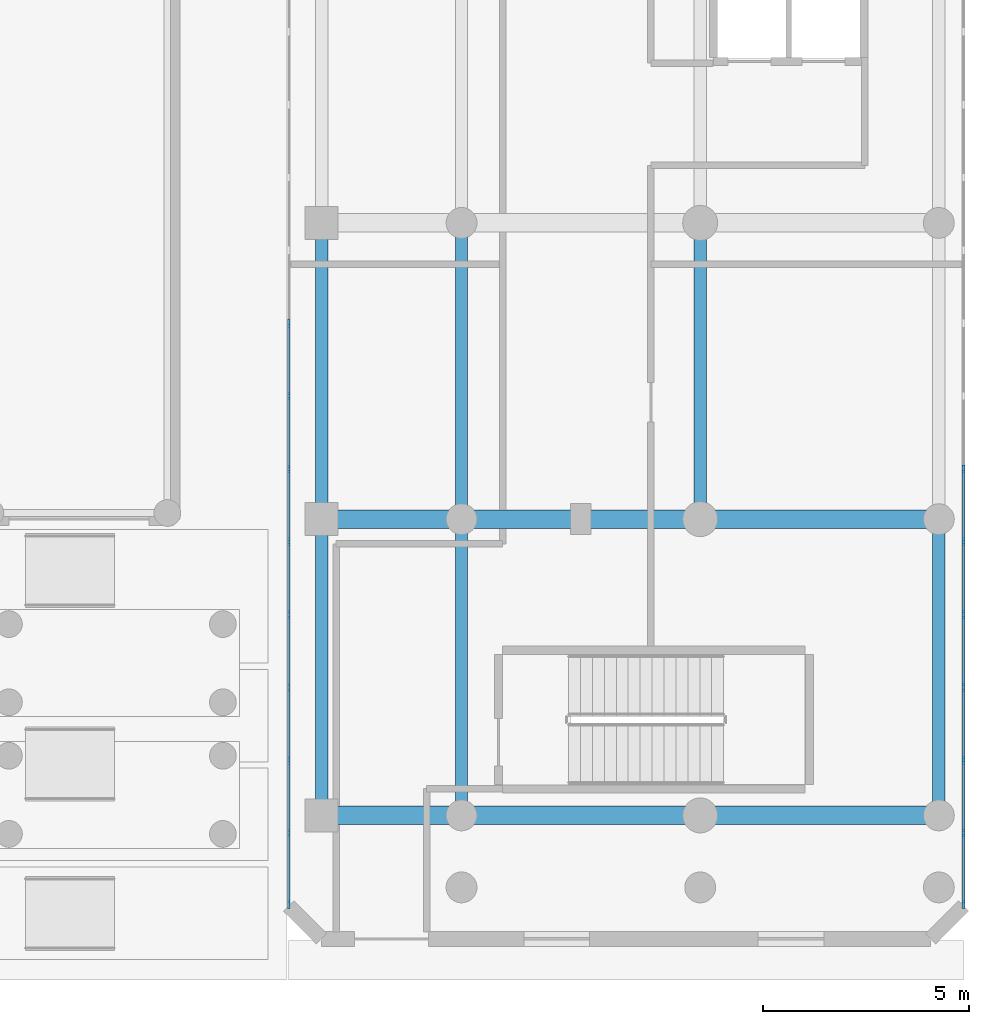
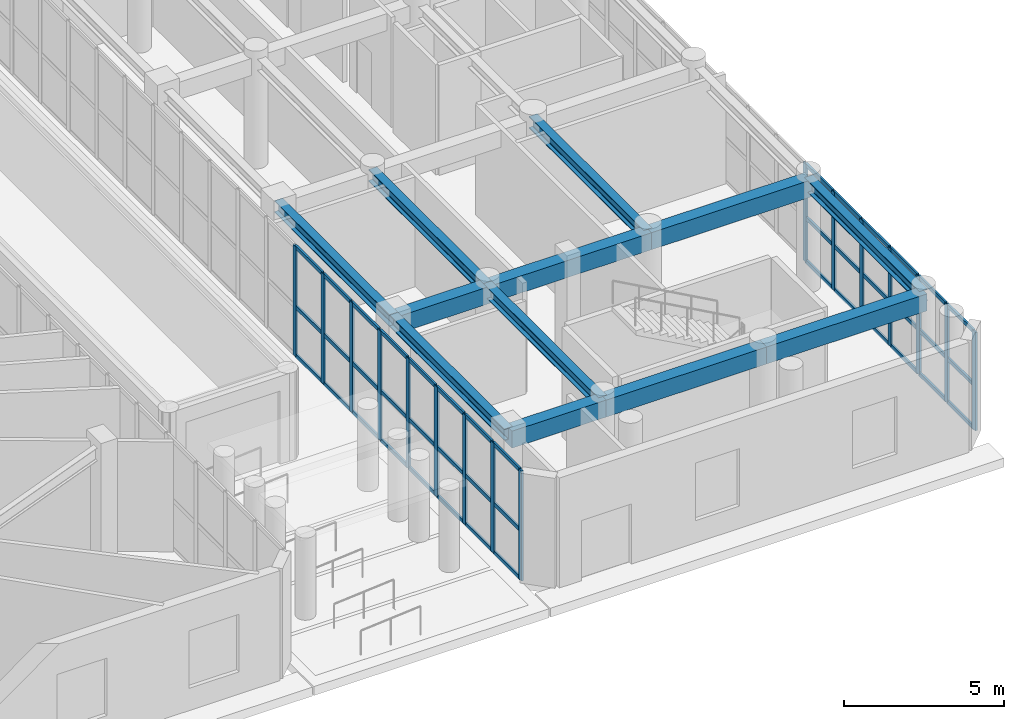
# One storey, part 6 of 30: 58 members, 12 beams, 2 elements without a shape of their own.
"""IFC4 building model written with IfcOpenShell, lengths in metres."""

from ifc_helpers import new_model, si_unit, direction, frame, origin, origin_with_axes, origin_2d, place, context, subcontext, project, spatial, rectangle, i_section, extrude, source, transform, mapped, material, layer, layer_set, material_profile, profile_set, type_object, element, aggregate, save


model = new_model("IFC4")

# Units and contexts
model_context = context("Model", 3, precision=1e-05, world=origin(), true_north=direction((0.0, 1.0)))
body_context = subcontext(model_context, "Body", "Model", "MODEL_VIEW")
ifc_project = project(units=[si_unit("LENGTHUNIT", "METRE"), si_unit("AREAUNIT", "SQUARE_METRE"), si_unit("VOLUMEUNIT", "CUBIC_METRE"), si_unit("PLANEANGLEUNIT", "RADIAN"), si_unit("MASSUNIT", "GRAM", prefix="KILO")], contexts=[model_context])

# Site, building, storey
site_placement = place(None, origin())
site = spatial("IfcSite", under=ifc_project, at=site_placement, CompositionType="ELEMENT")
building_placement = place(site_placement, origin())
building = spatial("IfcBuilding", under=site, at=building_placement, Name="Karkom Vertical University and Central Library", CompositionType="ELEMENT")
storey_placement = place(building_placement, origin())
storey = spatial("IfcBuildingStorey", under=building, at=storey_placement, Name="L00", CompositionType="ELEMENT", Elevation=0.0)

# Beams
ifc_material_1 = material(Name="Concrete C40/50", Category="concrete")
ifc_material_profile_1 = material_profile(ifc_material_1, rectangle(XDim=0.449951171875, YDim=0.64990234375, at=origin_2d()), Name="RCB-450x650")
ifc_profile_set_1 = profile_set([ifc_material_profile_1], Name="Concrete C40/50")
beam_type_1 = type_object("IfcBeamType", Name="STR-BM-BG-4", PredefinedType="USERDEFINED", material=ifc_profile_set_1)
shared_shape_1 = source(origin_with_axes(), body_context, "Body", "SweptSolid", [
    extrude(rectangle(XDim=0.449951171875, YDim=0.64990234375, at=origin_2d()), origin(), (0.0, 0.0, 1.0), 3.400146484375),
])
for number, where, z_axis, x_axis, name in (
    (1, (66.199951171875, 4.800048828125, 3.875), (1.0, 0.0, 0.0), (0.0, 1.0, 0.0), "Level 00 Library Transverse Girder 1.1"),
    (2, (66.199951171875, 12.0, 3.875), (1.0, 0.0, 0.0), (0.0, 1.0, 0.0), "Level 00 Library Transverse Girder 2.1"),
):
    element("IfcBeam", number, at=place(storey_placement, frame(where, z_axis=z_axis, x_axis=x_axis)), inside=storey, type_object=beam_type_1, Name=name, ObjectType="GIRDER", PredefinedType="USERDEFINED", context=body_context, shape_type="MappedRepresentation", body=[
        mapped(shared_shape_1, transform((0.0, 0.0, 0.0), scale=1.0)),
    ])
shared_shape_2 = source(origin_with_axes(), body_context, "Body", "SweptSolid", [
    extrude(rectangle(XDim=0.449951171875, YDim=0.64990234375, at=origin_2d()), origin(), (0.0, 0.0, 1.0), 5.7998046875),
])
for number, where, z_axis, x_axis, name in (
    (3, (69.60009765625, 4.800048828125, 3.875), (1.0, 0.0, 0.0), (0.0, 1.0, 0.0), "Level 00 Library Transverse Girder 1.2"),
    (4, (69.60009765625, 12.0, 3.875), (1.0, 0.0, 0.0), (0.0, 1.0, 0.0), "Level 00 Library Transverse Girder 2.2"),
):
    element("IfcBeam", number, at=place(storey_placement, frame(where, z_axis=z_axis, x_axis=x_axis)), inside=storey, type_object=beam_type_1, Name=name, ObjectType="GIRDER", PredefinedType="USERDEFINED", context=body_context, shape_type="MappedRepresentation", body=[
        mapped(shared_shape_2, transform((0.0, 0.0, 0.0), scale=1.0)),
    ])
shared_shape_3 = source(origin_with_axes(), body_context, "Body", "SweptSolid", [
    extrude(rectangle(XDim=0.449951171875, YDim=0.64990234375, at=origin_2d()), origin(), (0.0, 0.0, 1.0), 5.800048828125),
])
for number, where, z_axis, x_axis, name in (
    (5, (75.39990234375, 4.800048828125, 3.875), (1.0, 0.0, 0.0), (0.0, 1.0, 0.0), "Level 00 Library Transverse Girder 1.3"),
    (6, (75.39990234375, 12.0, 3.875), (1.0, 0.0, 0.0), (0.0, 1.0, 0.0), "Level 00 Library Transverse Girder 2.3"),
):
    element("IfcBeam", number, at=place(storey_placement, frame(where, z_axis=z_axis, x_axis=x_axis)), inside=storey, type_object=beam_type_1, Name=name, ObjectType="GIRDER", PredefinedType="USERDEFINED", context=body_context, shape_type="MappedRepresentation", body=[
        mapped(shared_shape_3, transform((0.0, 0.0, 0.0), scale=1.0)),
    ])
ifc_material_2 = material(Name="Steel S355", Category="steel")
ifc_material_profile_2 = material_profile(ifc_material_2, i_section(OverallWidth=0.300048828125, OverallDepth=0.449951171875, WebThickness=0.013916015625, FlangeThickness=0.02587890625, FilletRadius=0.027099609375, at=origin_2d()), Name="HE 450 B")
ifc_profile_set_2 = profile_set([ifc_material_profile_2], Name="Steel S355")
beam_type_2 = type_object("IfcBeamType", Name="STR-BM-SB-HE450", PredefinedType="BEAM", material=ifc_profile_set_2)
shared_shape_4 = source(origin_with_axes(), body_context, "Body", "SweptSolid", [
    extrude(i_section(OverallWidth=0.300048828125, OverallDepth=0.449951171875, WebThickness=0.013916015625, FlangeThickness=0.02587890625, FilletRadius=0.027099609375, at=origin_2d()), origin(), (0.0, 0.0, 1.0), 7.199951171875),
])
for number, where, z_axis, x_axis, name in (
    (7, (66.199951171875, 4.800048828125, 3.97509765625), (0.0, 1.0, 0.0), (-1.0, 0.0, 0.0), "Level 00 Library Longitudinal Beam 1.1"),
    (8, (66.199951171875, 12.0, 3.97509765625), (0.0, 1.0, 0.0), (-1.0, 0.0, 0.0), "Level 00 Library Longitudinal Beam 1.2"),
    (9, (69.60009765625, 4.800048828125, 3.97509765625), (0.0, 1.0, 0.0), (-1.0, 0.0, 0.0), "Level 00 Library Longitudinal Beam 2.1"),
    (10, (69.60009765625, 12.0, 3.97509765625), (0.0, 1.0, 0.0), (-1.0, 0.0, 0.0), "Level 00 Library Longitudinal Beam 2.2"),
    (11, (75.39990234375, 12.0, 3.97509765625), (0.0, 1.0, 0.0), (-1.0, 0.0, 0.0), "Level 00 Library Longitudinal Beam 3.2"),
    (12, (81.199951171875, 4.800048828125, 3.97509765625), (0.0, 1.0, 0.0), (-1.0, 0.0, 0.0), "Level 00 Library Longitudinal Beam 4.1"),
):
    element("IfcBeam", number, at=place(storey_placement, frame(where, z_axis=z_axis, x_axis=x_axis)), inside=storey, type_object=beam_type_2, Name=name, PredefinedType="BEAM", context=body_context, shape_type="MappedRepresentation", body=[
        mapped(shared_shape_4, transform((0.0, 0.0, 0.0), scale=1.0)),
    ])

# Curtain wall, members
ifc_material_3 = material(Name="Aluminium curtain-wall framing and low-E IGU", Category="aluminium")
ifc_layer = layer(ifc_material_3, 0.199951171875)
ifc_layer_set = layer_set([ifc_layer], Name="Aluminium curtain-wall framing and low-E IGU")
curtain_wall_type = type_object("IfcCurtainWallType", Name="ENV-CW-1", PredefinedType="USERDEFINED", material=ifc_layer_set)
curtain_wall_1_placement = place(storey_placement, origin())
curtain_wall_1 = element("IfcCurtainWall", 13, at=curtain_wall_1_placement, inside=storey, type_object=curtain_wall_type, Name="Level 00 CW-1 Curtain Wall L00-CW-1-LIB-3", ObjectType="STICK MULLION GLAZING", PredefinedType="USERDEFINED")
ifc_material_4 = material(Name="Anodised Aluminium 6063-T6", Category="aluminium")
ifc_material_profile_3 = material_profile(ifc_material_4, rectangle(XDim=0.070068359375, YDim=0.199951171875, at=origin_2d()), Name="ALU-M70x200")
ifc_profile_set_3 = profile_set([ifc_material_profile_3], Name="Anodised Aluminium 6063-T6")
member_type_1 = type_object("IfcMemberType", Name="ENV-MEM-ALU-M70x200", PredefinedType="MULLION", material=ifc_profile_set_3)
shared_shape_5 = source(origin_with_axes(), body_context, "Body", "SweptSolid", [
    extrude(rectangle(XDim=0.070068359375, YDim=0.199951171875, at=origin_2d()), origin(), (0.0, 0.0, 1.0), 3.75),
])
member_1_placement = place(storey_placement, frame((81.800048828125, 2.635009765625, 0.0), z_axis=(0.0, 0.0, 1.0), x_axis=(-1.0, 0.0, 0.0)))
member_1 = element("IfcMember", 14, at=member_1_placement, type_object=member_type_1, Name="CW-1 mullion 1", PredefinedType="MULLION", context=body_context, shape_type="MappedRepresentation", body=[
    mapped(shared_shape_5, transform((0.0, 0.0, 0.0), scale=1.0)),
])
member_2_placement = place(storey_placement, frame((81.800048828125, 4.370361328125, 0.0), z_axis=(0.0, 0.0, 1.0), x_axis=(-1.0, 0.0, 0.0)))
member_2 = element("IfcMember", 15, at=member_2_placement, type_object=member_type_1, Name="CW-1 mullion 2", PredefinedType="MULLION", context=body_context, shape_type="MappedRepresentation", body=[
    mapped(shared_shape_5, transform((0.0, 0.0, 0.0), scale=1.0)),
])
member_3_placement = place(storey_placement, frame((81.800048828125, 6.140625, 0.0), z_axis=(0.0, 0.0, 1.0), x_axis=(-1.0, 0.0, 0.0)))
member_3 = element("IfcMember", 16, at=member_3_placement, type_object=member_type_1, Name="CW-1 mullion 3", PredefinedType="MULLION", context=body_context, shape_type="MappedRepresentation", body=[
    mapped(shared_shape_5, transform((0.0, 0.0, 0.0), scale=1.0)),
])
member_4_placement = place(storey_placement, frame((81.800048828125, 7.9111328125, 0.0), z_axis=(0.0, 0.0, 1.0), x_axis=(-1.0, 0.0, 0.0)))
member_4 = element("IfcMember", 17, at=member_4_placement, type_object=member_type_1, Name="CW-1 mullion 4", PredefinedType="MULLION", context=body_context, shape_type="MappedRepresentation", body=[
    mapped(shared_shape_5, transform((0.0, 0.0, 0.0), scale=1.0)),
])
member_5_placement = place(storey_placement, frame((81.800048828125, 9.681396484375, 0.0), z_axis=(0.0, 0.0, 1.0), x_axis=(-1.0, 0.0, 0.0)))
member_5 = element("IfcMember", 18, at=member_5_placement, type_object=member_type_1, Name="CW-1 mullion 5", PredefinedType="MULLION", context=body_context, shape_type="MappedRepresentation", body=[
    mapped(shared_shape_5, transform((0.0, 0.0, 0.0), scale=1.0)),
])
member_6_placement = place(storey_placement, frame((81.800048828125, 11.451904296875, 0.0), z_axis=(0.0, 0.0, 1.0), x_axis=(-1.0, 0.0, 0.0)))
member_6 = element("IfcMember", 19, at=member_6_placement, type_object=member_type_1, Name="CW-1 mullion 6", PredefinedType="MULLION", context=body_context, shape_type="MappedRepresentation", body=[
    mapped(shared_shape_5, transform((0.0, 0.0, 0.0), scale=1.0)),
])
member_7_placement = place(storey_placement, frame((81.800048828125, 13.22216796875, 0.0), z_axis=(0.0, 0.0, 1.0), x_axis=(-1.0, 0.0, 0.0)))
member_7 = element("IfcMember", 20, at=member_7_placement, type_object=member_type_1, Name="CW-1 mullion 7", PredefinedType="MULLION", context=body_context, shape_type="MappedRepresentation", body=[
    mapped(shared_shape_5, transform((0.0, 0.0, 0.0), scale=1.0)),
])
ifc_material_profile_4 = material_profile(ifc_material_4, rectangle(XDim=0.070068359375, YDim=0.14990234375, at=origin_2d()), Name="ALU-T70x150")
ifc_profile_set_4 = profile_set([ifc_material_profile_4], Name="Anodised Aluminium 6063-T6")
member_type_2 = type_object("IfcMemberType", Name="ENV-MEM-ALU-T70x150", PredefinedType="USERDEFINED", material=ifc_profile_set_4)
shared_shape_6 = source(origin_with_axes(), body_context, "Body", "SweptSolid", [
    extrude(rectangle(XDim=0.070068359375, YDim=0.14990234375, at=origin_2d()), origin(), (0.0, 0.0, 1.0), 1.66552734375),
])
member_8_placement = place(storey_placement, frame((81.800048828125, 2.669921875, 0.034912109375), z_axis=(0.0, 1.0, 0.0), x_axis=(-1.0, 0.0, 0.0)))
member_8 = element("IfcMember", 21, at=member_8_placement, type_object=member_type_2, Name="CW-1 transom 1.1", ObjectType="TRANSOM", PredefinedType="USERDEFINED", context=body_context, shape_type="MappedRepresentation", body=[
    mapped(shared_shape_6, transform((0.0, 0.0, 0.0), scale=1.0)),
])
member_9_placement = place(storey_placement, frame((81.800048828125, 2.669921875, 1.6875), z_axis=(0.0, 1.0, 0.0), x_axis=(-1.0, 0.0, 0.0)))
member_9 = element("IfcMember", 22, at=member_9_placement, type_object=member_type_2, Name="CW-1 transom 1.2", ObjectType="TRANSOM", PredefinedType="USERDEFINED", context=body_context, shape_type="MappedRepresentation", body=[
    mapped(shared_shape_6, transform((0.0, 0.0, 0.0), scale=1.0)),
])
member_10_placement = place(storey_placement, frame((81.800048828125, 2.669921875, 3.715087890625), z_axis=(0.0, 1.0, 0.0), x_axis=(-1.0, 0.0, 0.0)))
member_10 = element("IfcMember", 23, at=member_10_placement, type_object=member_type_2, Name="CW-1 transom 1.3", ObjectType="TRANSOM", PredefinedType="USERDEFINED", context=body_context, shape_type="MappedRepresentation", body=[
    mapped(shared_shape_6, transform((0.0, 0.0, 0.0), scale=1.0)),
])

curtain_wall_2_placement = place(storey_placement, origin())
curtain_wall_2 = element("IfcCurtainWall", 24, at=curtain_wall_2_placement, inside=storey, type_object=curtain_wall_type, Name="Level 00 CW-1 Curtain Wall L00-CW-1-LIB-7", ObjectType="STICK MULLION GLAZING", PredefinedType="USERDEFINED")
member_11_placement = place(storey_placement, frame((65.39990234375, 4.33544921875, 0.034912109375), z_axis=(0.0, -1.0, 0.0), x_axis=(1.0, 0.0, 0.0)))
member_11 = element("IfcMember", 25, at=member_11_placement, type_object=member_type_2, Name="CW-1 transom 27.1", ObjectType="TRANSOM", PredefinedType="USERDEFINED", context=body_context, shape_type="MappedRepresentation", body=[
    mapped(shared_shape_6, transform((0.0, 0.0, 0.0), scale=1.0)),
])
member_12_placement = place(storey_placement, frame((65.39990234375, 4.33544921875, 1.889892578125), z_axis=(0.0, -1.0, 0.0), x_axis=(1.0, 0.0, 0.0)))
member_12 = element("IfcMember", 26, at=member_12_placement, type_object=member_type_2, Name="CW-1 transom 27.2", ObjectType="TRANSOM", PredefinedType="USERDEFINED", context=body_context, shape_type="MappedRepresentation", body=[
    mapped(shared_shape_6, transform((0.0, 0.0, 0.0), scale=1.0)),
])
member_13_placement = place(storey_placement, frame((65.39990234375, 4.33544921875, 4.1650390625), z_axis=(0.0, -1.0, 0.0), x_axis=(1.0, 0.0, 0.0)))
member_13 = element("IfcMember", 27, at=member_13_placement, type_object=member_type_2, Name="CW-1 transom 27.3", ObjectType="TRANSOM", PredefinedType="USERDEFINED", context=body_context, shape_type="MappedRepresentation", body=[
    mapped(shared_shape_6, transform((0.0, 0.0, 0.0), scale=1.0)),
])

# Member
shared_shape_7 = source(origin_with_axes(), body_context, "Body", "SweptSolid", [
    extrude(rectangle(XDim=0.070068359375, YDim=0.14990234375, at=origin_2d()), origin(), (0.0, 0.0, 1.0), 1.700439453125),
])
member_14_placement = place(storey_placement, frame((81.800048828125, 4.4052734375, 0.034912109375), z_axis=(0.0, 1.0, 0.0), x_axis=(-1.0, 0.0, 0.0)))
member_14 = element("IfcMember", 28, at=member_14_placement, type_object=member_type_2, Name="CW-1 transom 2.1", ObjectType="TRANSOM", PredefinedType="USERDEFINED", context=body_context, shape_type="MappedRepresentation", body=[
    mapped(shared_shape_7, transform((0.0, 0.0, 0.0), scale=1.0)),
])

member_15_placement = place(storey_placement, frame((81.800048828125, 4.4052734375, 1.6875), z_axis=(0.0, 1.0, 0.0), x_axis=(-1.0, 0.0, 0.0)))
member_15 = element("IfcMember", 29, at=member_15_placement, type_object=member_type_2, Name="CW-1 transom 2.2", ObjectType="TRANSOM", PredefinedType="USERDEFINED", context=body_context, shape_type="MappedRepresentation", body=[
    mapped(shared_shape_7, transform((0.0, 0.0, 0.0), scale=1.0)),
])

member_16_placement = place(storey_placement, frame((81.800048828125, 4.4052734375, 3.715087890625), z_axis=(0.0, 1.0, 0.0), x_axis=(-1.0, 0.0, 0.0)))
member_16 = element("IfcMember", 30, at=member_16_placement, type_object=member_type_2, Name="CW-1 transom 2.3", ObjectType="TRANSOM", PredefinedType="USERDEFINED", context=body_context, shape_type="MappedRepresentation", body=[
    mapped(shared_shape_7, transform((0.0, 0.0, 0.0), scale=1.0)),
])

member_17_placement = place(storey_placement, frame((81.800048828125, 6.17578125, 0.034912109375), z_axis=(0.0, 1.0, 0.0), x_axis=(-1.0, 0.0, 0.0)))
member_17 = element("IfcMember", 31, at=member_17_placement, type_object=member_type_2, Name="CW-1 transom 3.1", ObjectType="TRANSOM", PredefinedType="USERDEFINED", context=body_context, shape_type="MappedRepresentation", body=[
    mapped(shared_shape_7, transform((0.0, 0.0, 0.0), scale=1.0)),
])

member_18_placement = place(storey_placement, frame((81.800048828125, 6.17578125, 1.6875), z_axis=(0.0, 1.0, 0.0), x_axis=(-1.0, 0.0, 0.0)))
member_18 = element("IfcMember", 32, at=member_18_placement, type_object=member_type_2, Name="CW-1 transom 3.2", ObjectType="TRANSOM", PredefinedType="USERDEFINED", context=body_context, shape_type="MappedRepresentation", body=[
    mapped(shared_shape_7, transform((0.0, 0.0, 0.0), scale=1.0)),
])

member_19_placement = place(storey_placement, frame((81.800048828125, 6.17578125, 3.715087890625), z_axis=(0.0, 1.0, 0.0), x_axis=(-1.0, 0.0, 0.0)))
member_19 = element("IfcMember", 33, at=member_19_placement, type_object=member_type_2, Name="CW-1 transom 3.3", ObjectType="TRANSOM", PredefinedType="USERDEFINED", context=body_context, shape_type="MappedRepresentation", body=[
    mapped(shared_shape_7, transform((0.0, 0.0, 0.0), scale=1.0)),
])

member_20_placement = place(storey_placement, frame((81.800048828125, 7.946044921875, 0.034912109375), z_axis=(0.0, 1.0, 0.0), x_axis=(-1.0, 0.0, 0.0)))
member_20 = element("IfcMember", 34, at=member_20_placement, type_object=member_type_2, Name="CW-1 transom 4.1", ObjectType="TRANSOM", PredefinedType="USERDEFINED", context=body_context, shape_type="MappedRepresentation", body=[
    mapped(shared_shape_7, transform((0.0, 0.0, 0.0), scale=1.0)),
])

member_21_placement = place(storey_placement, frame((81.800048828125, 7.946044921875, 1.6875), z_axis=(0.0, 1.0, 0.0), x_axis=(-1.0, 0.0, 0.0)))
member_21 = element("IfcMember", 35, at=member_21_placement, type_object=member_type_2, Name="CW-1 transom 4.2", ObjectType="TRANSOM", PredefinedType="USERDEFINED", context=body_context, shape_type="MappedRepresentation", body=[
    mapped(shared_shape_7, transform((0.0, 0.0, 0.0), scale=1.0)),
])

member_22_placement = place(storey_placement, frame((81.800048828125, 7.946044921875, 3.715087890625), z_axis=(0.0, 1.0, 0.0), x_axis=(-1.0, 0.0, 0.0)))
member_22 = element("IfcMember", 36, at=member_22_placement, type_object=member_type_2, Name="CW-1 transom 4.3", ObjectType="TRANSOM", PredefinedType="USERDEFINED", context=body_context, shape_type="MappedRepresentation", body=[
    mapped(shared_shape_7, transform((0.0, 0.0, 0.0), scale=1.0)),
])

member_23_placement = place(storey_placement, frame((81.800048828125, 11.48681640625, 0.034912109375), z_axis=(0.0, 1.0, 0.0), x_axis=(-1.0, 0.0, 0.0)))
member_23 = element("IfcMember", 37, at=member_23_placement, type_object=member_type_2, Name="CW-1 transom 6.1", ObjectType="TRANSOM", PredefinedType="USERDEFINED", context=body_context, shape_type="MappedRepresentation", body=[
    mapped(shared_shape_7, transform((0.0, 0.0, 0.0), scale=1.0)),
])

member_24_placement = place(storey_placement, frame((81.800048828125, 11.48681640625, 1.6875), z_axis=(0.0, 1.0, 0.0), x_axis=(-1.0, 0.0, 0.0)))
member_24 = element("IfcMember", 38, at=member_24_placement, type_object=member_type_2, Name="CW-1 transom 6.2", ObjectType="TRANSOM", PredefinedType="USERDEFINED", context=body_context, shape_type="MappedRepresentation", body=[
    mapped(shared_shape_7, transform((0.0, 0.0, 0.0), scale=1.0)),
])

member_25_placement = place(storey_placement, frame((81.800048828125, 11.48681640625, 3.715087890625), z_axis=(0.0, 1.0, 0.0), x_axis=(-1.0, 0.0, 0.0)))
member_25 = element("IfcMember", 39, at=member_25_placement, type_object=member_type_2, Name="CW-1 transom 6.3", ObjectType="TRANSOM", PredefinedType="USERDEFINED", context=body_context, shape_type="MappedRepresentation", body=[
    mapped(shared_shape_7, transform((0.0, 0.0, 0.0), scale=1.0)),
])

member_26_placement = place(storey_placement, frame((65.39990234375, 16.72802734375, 0.034912109375), z_axis=(0.0, -1.0, 0.0), x_axis=(1.0, 0.0, 0.0)))
member_26 = element("IfcMember", 40, at=member_26_placement, type_object=member_type_2, Name="CW-1 transom 20.1", ObjectType="TRANSOM", PredefinedType="USERDEFINED", context=body_context, shape_type="MappedRepresentation", body=[
    mapped(shared_shape_7, transform((0.0, 0.0, 0.0), scale=1.0)),
])

member_27_placement = place(storey_placement, frame((65.39990234375, 16.72802734375, 1.889892578125), z_axis=(0.0, -1.0, 0.0), x_axis=(1.0, 0.0, 0.0)))
member_27 = element("IfcMember", 41, at=member_27_placement, type_object=member_type_2, Name="CW-1 transom 20.2", ObjectType="TRANSOM", PredefinedType="USERDEFINED", context=body_context, shape_type="MappedRepresentation", body=[
    mapped(shared_shape_7, transform((0.0, 0.0, 0.0), scale=1.0)),
])

member_28_placement = place(storey_placement, frame((65.39990234375, 16.72802734375, 4.1650390625), z_axis=(0.0, -1.0, 0.0), x_axis=(1.0, 0.0, 0.0)))
member_28 = element("IfcMember", 42, at=member_28_placement, type_object=member_type_2, Name="CW-1 transom 20.3", ObjectType="TRANSOM", PredefinedType="USERDEFINED", context=body_context, shape_type="MappedRepresentation", body=[
    mapped(shared_shape_7, transform((0.0, 0.0, 0.0), scale=1.0)),
])

member_29_placement = place(storey_placement, frame((65.39990234375, 13.187255859375, 0.034912109375), z_axis=(0.0, -1.0, 0.0), x_axis=(1.0, 0.0, 0.0)))
member_29 = element("IfcMember", 43, at=member_29_placement, type_object=member_type_2, Name="CW-1 transom 22.1", ObjectType="TRANSOM", PredefinedType="USERDEFINED", context=body_context, shape_type="MappedRepresentation", body=[
    mapped(shared_shape_7, transform((0.0, 0.0, 0.0), scale=1.0)),
])

member_30_placement = place(storey_placement, frame((65.39990234375, 13.187255859375, 1.889892578125), z_axis=(0.0, -1.0, 0.0), x_axis=(1.0, 0.0, 0.0)))
member_30 = element("IfcMember", 44, at=member_30_placement, type_object=member_type_2, Name="CW-1 transom 22.2", ObjectType="TRANSOM", PredefinedType="USERDEFINED", context=body_context, shape_type="MappedRepresentation", body=[
    mapped(shared_shape_7, transform((0.0, 0.0, 0.0), scale=1.0)),
])

member_31_placement = place(storey_placement, frame((65.39990234375, 13.187255859375, 4.1650390625), z_axis=(0.0, -1.0, 0.0), x_axis=(1.0, 0.0, 0.0)))
member_31 = element("IfcMember", 45, at=member_31_placement, type_object=member_type_2, Name="CW-1 transom 22.3", ObjectType="TRANSOM", PredefinedType="USERDEFINED", context=body_context, shape_type="MappedRepresentation", body=[
    mapped(shared_shape_7, transform((0.0, 0.0, 0.0), scale=1.0)),
])

member_32_placement = place(storey_placement, frame((65.39990234375, 9.646484375, 0.034912109375), z_axis=(0.0, -1.0, 0.0), x_axis=(1.0, 0.0, 0.0)))
member_32 = element("IfcMember", 46, at=member_32_placement, type_object=member_type_2, Name="CW-1 transom 24.1", ObjectType="TRANSOM", PredefinedType="USERDEFINED", context=body_context, shape_type="MappedRepresentation", body=[
    mapped(shared_shape_7, transform((0.0, 0.0, 0.0), scale=1.0)),
])

member_33_placement = place(storey_placement, frame((65.39990234375, 9.646484375, 1.889892578125), z_axis=(0.0, -1.0, 0.0), x_axis=(1.0, 0.0, 0.0)))
member_33 = element("IfcMember", 47, at=member_33_placement, type_object=member_type_2, Name="CW-1 transom 24.2", ObjectType="TRANSOM", PredefinedType="USERDEFINED", context=body_context, shape_type="MappedRepresentation", body=[
    mapped(shared_shape_7, transform((0.0, 0.0, 0.0), scale=1.0)),
])

member_34_placement = place(storey_placement, frame((65.39990234375, 9.646484375, 4.1650390625), z_axis=(0.0, -1.0, 0.0), x_axis=(1.0, 0.0, 0.0)))
member_34 = element("IfcMember", 48, at=member_34_placement, type_object=member_type_2, Name="CW-1 transom 24.3", ObjectType="TRANSOM", PredefinedType="USERDEFINED", context=body_context, shape_type="MappedRepresentation", body=[
    mapped(shared_shape_7, transform((0.0, 0.0, 0.0), scale=1.0)),
])

member_35_placement = place(storey_placement, frame((65.39990234375, 7.876220703125, 0.034912109375), z_axis=(0.0, -1.0, 0.0), x_axis=(1.0, 0.0, 0.0)))
member_35 = element("IfcMember", 49, at=member_35_placement, type_object=member_type_2, Name="CW-1 transom 25.1", ObjectType="TRANSOM", PredefinedType="USERDEFINED", context=body_context, shape_type="MappedRepresentation", body=[
    mapped(shared_shape_7, transform((0.0, 0.0, 0.0), scale=1.0)),
])

member_36_placement = place(storey_placement, frame((65.39990234375, 7.876220703125, 1.889892578125), z_axis=(0.0, -1.0, 0.0), x_axis=(1.0, 0.0, 0.0)))
member_36 = element("IfcMember", 50, at=member_36_placement, type_object=member_type_2, Name="CW-1 transom 25.2", ObjectType="TRANSOM", PredefinedType="USERDEFINED", context=body_context, shape_type="MappedRepresentation", body=[
    mapped(shared_shape_7, transform((0.0, 0.0, 0.0), scale=1.0)),
])

member_37_placement = place(storey_placement, frame((65.39990234375, 7.876220703125, 4.1650390625), z_axis=(0.0, -1.0, 0.0), x_axis=(1.0, 0.0, 0.0)))
member_37 = element("IfcMember", 51, at=member_37_placement, type_object=member_type_2, Name="CW-1 transom 25.3", ObjectType="TRANSOM", PredefinedType="USERDEFINED", context=body_context, shape_type="MappedRepresentation", body=[
    mapped(shared_shape_7, transform((0.0, 0.0, 0.0), scale=1.0)),
])

member_38_placement = place(storey_placement, frame((65.39990234375, 6.105712890625, 0.034912109375), z_axis=(0.0, -1.0, 0.0), x_axis=(1.0, 0.0, 0.0)))
member_38 = element("IfcMember", 52, at=member_38_placement, type_object=member_type_2, Name="CW-1 transom 26.1", ObjectType="TRANSOM", PredefinedType="USERDEFINED", context=body_context, shape_type="MappedRepresentation", body=[
    mapped(shared_shape_7, transform((0.0, 0.0, 0.0), scale=1.0)),
])

member_39_placement = place(storey_placement, frame((65.39990234375, 6.105712890625, 1.889892578125), z_axis=(0.0, -1.0, 0.0), x_axis=(1.0, 0.0, 0.0)))
member_39 = element("IfcMember", 53, at=member_39_placement, type_object=member_type_2, Name="CW-1 transom 26.2", ObjectType="TRANSOM", PredefinedType="USERDEFINED", context=body_context, shape_type="MappedRepresentation", body=[
    mapped(shared_shape_7, transform((0.0, 0.0, 0.0), scale=1.0)),
])

member_40_placement = place(storey_placement, frame((65.39990234375, 6.105712890625, 4.1650390625), z_axis=(0.0, -1.0, 0.0), x_axis=(1.0, 0.0, 0.0)))
member_40 = element("IfcMember", 54, at=member_40_placement, type_object=member_type_2, Name="CW-1 transom 26.3", ObjectType="TRANSOM", PredefinedType="USERDEFINED", context=body_context, shape_type="MappedRepresentation", body=[
    mapped(shared_shape_7, transform((0.0, 0.0, 0.0), scale=1.0)),
])

shared_shape_8 = source(origin_with_axes(), body_context, "Body", "SweptSolid", [
    extrude(rectangle(XDim=0.070068359375, YDim=0.14990234375, at=origin_2d()), origin(), (0.0, 0.0, 1.0), 1.7001953125),
])
member_41_placement = place(storey_placement, frame((81.800048828125, 9.716552734375, 0.034912109375), z_axis=(0.0, 1.0, 0.0), x_axis=(-1.0, 0.0, 0.0)))
member_41 = element("IfcMember", 55, at=member_41_placement, type_object=member_type_2, Name="CW-1 transom 5.1", ObjectType="TRANSOM", PredefinedType="USERDEFINED", context=body_context, shape_type="MappedRepresentation", body=[
    mapped(shared_shape_8, transform((0.0, 0.0, 0.0), scale=1.0)),
])

member_42_placement = place(storey_placement, frame((81.800048828125, 9.716552734375, 1.6875), z_axis=(0.0, 1.0, 0.0), x_axis=(-1.0, 0.0, 0.0)))
member_42 = element("IfcMember", 56, at=member_42_placement, type_object=member_type_2, Name="CW-1 transom 5.2", ObjectType="TRANSOM", PredefinedType="USERDEFINED", context=body_context, shape_type="MappedRepresentation", body=[
    mapped(shared_shape_8, transform((0.0, 0.0, 0.0), scale=1.0)),
])

member_43_placement = place(storey_placement, frame((81.800048828125, 9.716552734375, 3.715087890625), z_axis=(0.0, 1.0, 0.0), x_axis=(-1.0, 0.0, 0.0)))
member_43 = element("IfcMember", 57, at=member_43_placement, type_object=member_type_2, Name="CW-1 transom 5.3", ObjectType="TRANSOM", PredefinedType="USERDEFINED", context=body_context, shape_type="MappedRepresentation", body=[
    mapped(shared_shape_8, transform((0.0, 0.0, 0.0), scale=1.0)),
])

aggregate(curtain_wall_1, [member_1, member_2, member_3, member_4, member_5, member_6, member_7, member_8, member_9, member_10, member_14, member_15, member_16, member_17, member_18, member_19, member_20, member_21, member_22, member_41, member_42, member_43, member_23, member_24, member_25])

member_44_placement = place(storey_placement, frame((65.39990234375, 14.95751953125, 0.034912109375), z_axis=(0.0, -1.0, 0.0), x_axis=(1.0, 0.0, 0.0)))
member_44 = element("IfcMember", 58, at=member_44_placement, type_object=member_type_2, Name="CW-1 transom 21.1", ObjectType="TRANSOM", PredefinedType="USERDEFINED", context=body_context, shape_type="MappedRepresentation", body=[
    mapped(shared_shape_8, transform((0.0, 0.0, 0.0), scale=1.0)),
])

member_45_placement = place(storey_placement, frame((65.39990234375, 14.95751953125, 1.889892578125), z_axis=(0.0, -1.0, 0.0), x_axis=(1.0, 0.0, 0.0)))
member_45 = element("IfcMember", 59, at=member_45_placement, type_object=member_type_2, Name="CW-1 transom 21.2", ObjectType="TRANSOM", PredefinedType="USERDEFINED", context=body_context, shape_type="MappedRepresentation", body=[
    mapped(shared_shape_8, transform((0.0, 0.0, 0.0), scale=1.0)),
])

member_46_placement = place(storey_placement, frame((65.39990234375, 14.95751953125, 4.1650390625), z_axis=(0.0, -1.0, 0.0), x_axis=(1.0, 0.0, 0.0)))
member_46 = element("IfcMember", 60, at=member_46_placement, type_object=member_type_2, Name="CW-1 transom 21.3", ObjectType="TRANSOM", PredefinedType="USERDEFINED", context=body_context, shape_type="MappedRepresentation", body=[
    mapped(shared_shape_8, transform((0.0, 0.0, 0.0), scale=1.0)),
])

member_47_placement = place(storey_placement, frame((65.39990234375, 11.416748046875, 0.034912109375), z_axis=(0.0, -1.0, 0.0), x_axis=(1.0, 0.0, 0.0)))
member_47 = element("IfcMember", 61, at=member_47_placement, type_object=member_type_2, Name="CW-1 transom 23.1", ObjectType="TRANSOM", PredefinedType="USERDEFINED", context=body_context, shape_type="MappedRepresentation", body=[
    mapped(shared_shape_8, transform((0.0, 0.0, 0.0), scale=1.0)),
])

member_48_placement = place(storey_placement, frame((65.39990234375, 11.416748046875, 1.889892578125), z_axis=(0.0, -1.0, 0.0), x_axis=(1.0, 0.0, 0.0)))
member_48 = element("IfcMember", 62, at=member_48_placement, type_object=member_type_2, Name="CW-1 transom 23.2", ObjectType="TRANSOM", PredefinedType="USERDEFINED", context=body_context, shape_type="MappedRepresentation", body=[
    mapped(shared_shape_8, transform((0.0, 0.0, 0.0), scale=1.0)),
])

member_49_placement = place(storey_placement, frame((65.39990234375, 11.416748046875, 4.1650390625), z_axis=(0.0, -1.0, 0.0), x_axis=(1.0, 0.0, 0.0)))
member_49 = element("IfcMember", 63, at=member_49_placement, type_object=member_type_2, Name="CW-1 transom 23.3", ObjectType="TRANSOM", PredefinedType="USERDEFINED", context=body_context, shape_type="MappedRepresentation", body=[
    mapped(shared_shape_8, transform((0.0, 0.0, 0.0), scale=1.0)),
])

shared_shape_9 = source(origin_with_axes(), body_context, "Body", "SweptSolid", [
    extrude(rectangle(XDim=0.070068359375, YDim=0.199951171875, at=origin_2d()), origin(), (0.0, 0.0, 1.0), 4.199951171875),
])
member_50_placement = place(storey_placement, frame((65.39990234375, 16.762939453125, 0.0), z_axis=(0.0, 0.0, 1.0), x_axis=(1.0, 0.0, 0.0)))
member_50 = element("IfcMember", 64, at=member_50_placement, type_object=member_type_1, Name="CW-1 mullion 20", PredefinedType="MULLION", context=body_context, shape_type="MappedRepresentation", body=[
    mapped(shared_shape_9, transform((0.0, 0.0, 0.0), scale=1.0)),
])

member_51_placement = place(storey_placement, frame((65.39990234375, 14.99267578125, 0.0), z_axis=(0.0, 0.0, 1.0), x_axis=(1.0, 0.0, 0.0)))
member_51 = element("IfcMember", 65, at=member_51_placement, type_object=member_type_1, Name="CW-1 mullion 21", PredefinedType="MULLION", context=body_context, shape_type="MappedRepresentation", body=[
    mapped(shared_shape_9, transform((0.0, 0.0, 0.0), scale=1.0)),
])

member_52_placement = place(storey_placement, frame((65.39990234375, 13.22216796875, 0.0), z_axis=(0.0, 0.0, 1.0), x_axis=(1.0, 0.0, 0.0)))
member_52 = element("IfcMember", 66, at=member_52_placement, type_object=member_type_1, Name="CW-1 mullion 22", PredefinedType="MULLION", context=body_context, shape_type="MappedRepresentation", body=[
    mapped(shared_shape_9, transform((0.0, 0.0, 0.0), scale=1.0)),
])

member_53_placement = place(storey_placement, frame((65.39990234375, 11.451904296875, 0.0), z_axis=(0.0, 0.0, 1.0), x_axis=(1.0, 0.0, 0.0)))
member_53 = element("IfcMember", 67, at=member_53_placement, type_object=member_type_1, Name="CW-1 mullion 23", PredefinedType="MULLION", context=body_context, shape_type="MappedRepresentation", body=[
    mapped(shared_shape_9, transform((0.0, 0.0, 0.0), scale=1.0)),
])

member_54_placement = place(storey_placement, frame((65.39990234375, 9.681396484375, 0.0), z_axis=(0.0, 0.0, 1.0), x_axis=(1.0, 0.0, 0.0)))
member_54 = element("IfcMember", 68, at=member_54_placement, type_object=member_type_1, Name="CW-1 mullion 24", PredefinedType="MULLION", context=body_context, shape_type="MappedRepresentation", body=[
    mapped(shared_shape_9, transform((0.0, 0.0, 0.0), scale=1.0)),
])

member_55_placement = place(storey_placement, frame((65.39990234375, 7.9111328125, 0.0), z_axis=(0.0, 0.0, 1.0), x_axis=(1.0, 0.0, 0.0)))
member_55 = element("IfcMember", 69, at=member_55_placement, type_object=member_type_1, Name="CW-1 mullion 25", PredefinedType="MULLION", context=body_context, shape_type="MappedRepresentation", body=[
    mapped(shared_shape_9, transform((0.0, 0.0, 0.0), scale=1.0)),
])

member_56_placement = place(storey_placement, frame((65.39990234375, 6.140625, 0.0), z_axis=(0.0, 0.0, 1.0), x_axis=(1.0, 0.0, 0.0)))
member_56 = element("IfcMember", 70, at=member_56_placement, type_object=member_type_1, Name="CW-1 mullion 26", PredefinedType="MULLION", context=body_context, shape_type="MappedRepresentation", body=[
    mapped(shared_shape_9, transform((0.0, 0.0, 0.0), scale=1.0)),
])

member_57_placement = place(storey_placement, frame((65.39990234375, 4.370361328125, 0.0), z_axis=(0.0, 0.0, 1.0), x_axis=(1.0, 0.0, 0.0)))
member_57 = element("IfcMember", 71, at=member_57_placement, type_object=member_type_1, Name="CW-1 mullion 27", PredefinedType="MULLION", context=body_context, shape_type="MappedRepresentation", body=[
    mapped(shared_shape_9, transform((0.0, 0.0, 0.0), scale=1.0)),
])

member_58_placement = place(storey_placement, frame((65.39990234375, 2.635009765625, 0.0), z_axis=(0.0, 0.0, 1.0), x_axis=(1.0, 0.0, 0.0)))
member_58 = element("IfcMember", 72, at=member_58_placement, type_object=member_type_1, Name="CW-1 mullion 28", PredefinedType="MULLION", context=body_context, shape_type="MappedRepresentation", body=[
    mapped(shared_shape_9, transform((0.0, 0.0, 0.0), scale=1.0)),
])

aggregate(curtain_wall_2, [member_50, member_51, member_52, member_53, member_54, member_55, member_56, member_57, member_58, member_26, member_27, member_28, member_44, member_45, member_46, member_29, member_30, member_31, member_47, member_48, member_49, member_32, member_33, member_34, member_35, member_36, member_37, member_38, member_39, member_40, member_11, member_12, member_13])

save(model, "model.ifc")
